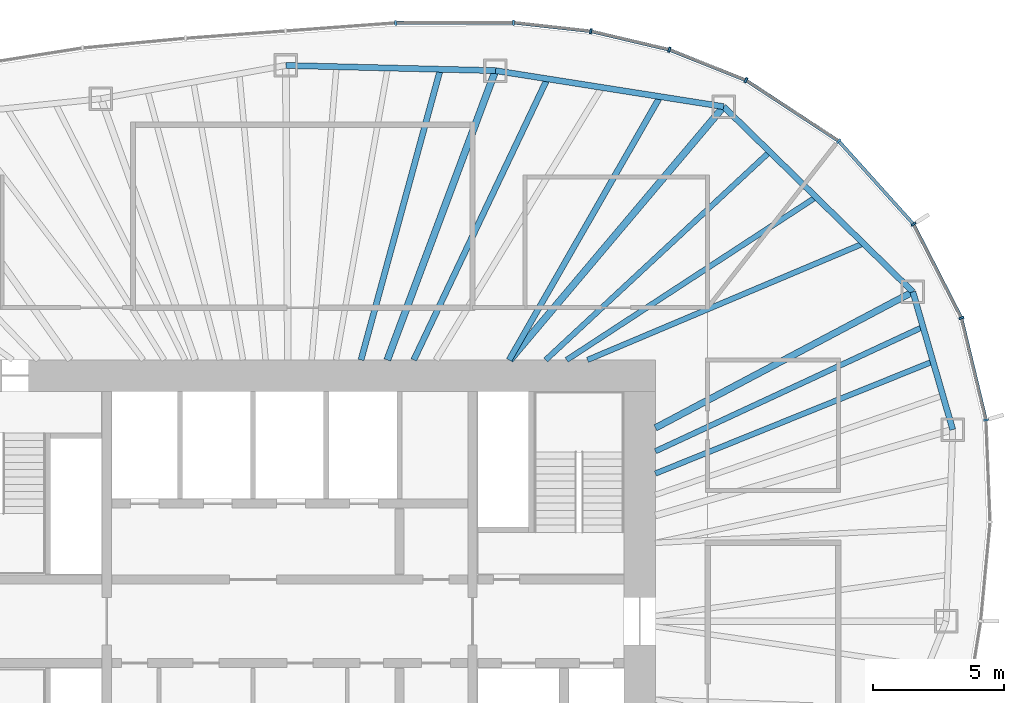
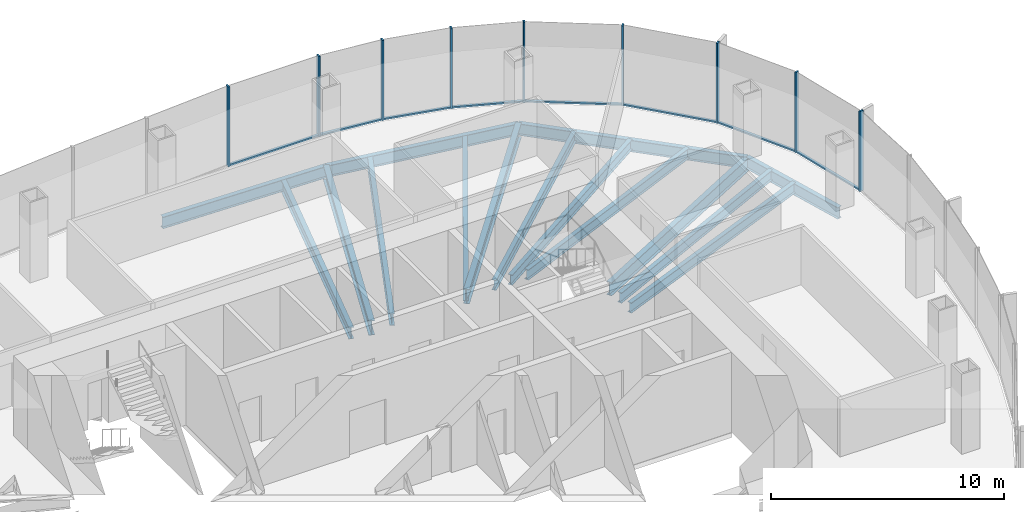
# One storey, part 6 of 11: 17 members, 15 beams, 4 elements without a shape of their own.
"""IFC4 building model written with IfcOpenShell, lengths in metres."""

import ifcopenshell
import ifcopenshell.guid

model = None  # the IFC model being written
_history = None  # IfcOwnerHistory: only IFC2X3 demands one
_inside = {}  # id of a spatial element -> (the spatial element, [elements in it])
_under = {}  # id of a project, library or spatial element -> (it, [spatial elements below it])
_declared = {}  # id of a project -> (the project, [libraries it declares])
_typed = {}  # id of a type object -> (the type object, [elements of that type])
_made_of = {}  # id of a material, layer set ... -> (it, [elements and type objects made of it])


def new_model(schema):
    """Start an empty IFC model of exactly this schema.

    Asked for "IFC4X3", IfcOpenShell would pick the latest addendum, in which some entities
    have other attributes; the version numbers below select the first issue.
    IFC2X3 requires an IfcOwnerHistory on every rooted entity: one is made here for all.
    """
    global model, _history
    if schema == "IFC4X3":
        model = ifcopenshell.file(schema_version=(4, 3, 0, 0))
    else:
        model = ifcopenshell.file(schema=schema)
    _inside.clear()
    _under.clear()
    _declared.clear()
    _typed.clear()
    _made_of.clear()
    _history = None
    if model.schema == "IFC2X3":
        org = make("IfcOrganization", Name="unknown")
        user = make(
            "IfcPersonAndOrganization",
            ThePerson=make("IfcPerson", FamilyName="unknown"),
            TheOrganization=org,
        )
        app = make(
            "IfcApplication",
            ApplicationDeveloper=org,
            Version="unknown",
            ApplicationFullName="unknown",
            ApplicationIdentifier="unknown",
        )
        _history = make(
            "IfcOwnerHistory",
            OwningUser=user,
            OwningApplication=app,
            ChangeAction="ADDED",
            CreationDate=0,
        )
    return model


def make(cls, **values):
    """One entity of the class cls with the attributes given. An attribute that is None is left unset."""
    return model.create_entity(
        cls, **{name: value for name, value in values.items() if value is not None}
    )


def rooted(cls, **values):
    """An entity with a GlobalId (a new one), such as an element, a storey or a relation."""
    return make(cls, GlobalId=ifcopenshell.guid.new(), OwnerHistory=_history, **values)


def si_unit(unit_type, name, prefix=None):
    """IfcSIUnit, for example si_unit("LENGTHUNIT", "METRE", prefix="MILLI")."""
    return make("IfcSIUnit", UnitType=unit_type, Prefix=prefix, Name=name)


def assignment(units):
    """IfcUnitAssignment: the units of a project."""
    return None if units is None else make("IfcUnitAssignment", Units=units)


def point(xyz):
    """IfcCartesianPoint."""
    return None if xyz is None else make("IfcCartesianPoint", Coordinates=xyz)


def direction(xyz):
    """IfcDirection."""
    return None if xyz is None else make("IfcDirection", DirectionRatios=xyz)


def frame(location, z_axis=None, x_axis=None):
    """IfcAxis2Placement3D, a coordinate frame: its origin and axes. An axis left out is left unset."""
    return make(
        "IfcAxis2Placement3D",
        Location=point(location),
        Axis=direction(z_axis),
        RefDirection=direction(x_axis),
    )


def frame_2d(location, x_axis=None):
    """IfcAxis2Placement2D, a coordinate frame in the plane: its origin and x axis."""
    return make(
        "IfcAxis2Placement2D", Location=point(location), RefDirection=direction(x_axis)
    )


def origin():
    """The frame at (0, 0, 0) with its axes left unset."""
    return frame((0.0, 0.0, 0.0))


def origin_2d():
    """The frame at (0, 0) in the plane with its x axis left unset."""
    return frame_2d((0.0, 0.0))


def place(relative_to, where):
    """IfcLocalPlacement: puts the frame where relative to a parent placement (None: the world)."""
    return make(
        "IfcLocalPlacement", PlacementRelTo=relative_to, RelativePlacement=where
    )


def context(
    kind, dimensions, precision=None, world=None, true_north=None, identifier=None
):
    """IfcGeometricRepresentationContext, for example the 3D "Model" context."""
    return make(
        "IfcGeometricRepresentationContext",
        ContextIdentifier=identifier,
        ContextType=kind,
        CoordinateSpaceDimension=dimensions,
        Precision=precision,
        WorldCoordinateSystem=world,
        TrueNorth=true_north,
    )


def subcontext(parent, identifier, kind, view, scale=None):
    """IfcGeometricRepresentationSubContext, for example "Body" below "Model"."""
    return make(
        "IfcGeometricRepresentationSubContext",
        ContextIdentifier=identifier,
        ContextType=kind,
        ParentContext=parent,
        TargetScale=scale,
        TargetView=view,
    )


def project(units=None, contexts=None):
    """IfcProject with its units and contexts."""
    return rooted(
        "IfcProject",
        Name="project",
        RepresentationContexts=contexts,
        UnitsInContext=assignment(units),
    )


def spatial(cls, under=None, at=None, **own):
    """A site, building, storey or space (cls), placed at a placement, below another one or the project."""
    s = rooted(cls, ObjectPlacement=at, **own)
    if under is not None:
        _under.setdefault(under.id(), (under, []))[1].append(s)
    return s


def profile(cls, at=None, kind="AREA", **sizes):
    """A parametric profile (cls). Its sizes go by their IFC names, for example OverallWidth=200.0."""
    return make(cls, ProfileType=kind, Position=at, **sizes)


def rectangle(**sizes):
    """IfcRectangleProfileDef."""
    return profile("IfcRectangleProfileDef", **sizes)


def i_section(**sizes):
    """IfcIShapeProfileDef."""
    return profile("IfcIShapeProfileDef", **sizes)


def extrude(swept, where, along, depth):
    """IfcExtrudedAreaSolid: the profile swept, set in the frame where, extruded along a direction by depth."""
    return make(
        "IfcExtrudedAreaSolid",
        SweptArea=swept,
        Position=where,
        ExtrudedDirection=direction(along),
        Depth=depth,
    )


def shape(context_of_items, identifier, shape_type, items):
    """IfcShapeRepresentation: the items that make up one representation, for example the "Body"."""
    return make(
        "IfcShapeRepresentation",
        ContextOfItems=context_of_items,
        RepresentationIdentifier=identifier,
        RepresentationType=shape_type,
        Items=items,
    )


def material(Name=None, Category=None):
    """IfcMaterial."""
    return make("IfcMaterial", Name=Name, Category=Category)


def material_profile(
    of_material, cross_section, Name=None, Category=None, Priority=None
):
    """IfcMaterialProfile: a cross section and its material."""
    return make(
        "IfcMaterialProfile",
        Name=Name,
        Material=of_material,
        Profile=cross_section,
        Priority=Priority,
        Category=Category,
    )


def profile_set(profiles, Name=None, composite=None):
    """IfcMaterialProfileSet."""
    return make(
        "IfcMaterialProfileSet",
        Name=Name,
        MaterialProfiles=profiles,
        CompositeProfile=composite,
    )


def made_of(thing, what):
    """Note that an element or type object is made of a material, layer set ...; save() writes the relation."""
    if what is not None:
        _made_of.setdefault(what.id(), (what, []))[1].append(thing)
    return thing


def type_object(cls, material=None, **own):
    """A type object (cls), such as IfcWallType, which elements share."""
    return made_of(rooted(cls, **own), material)


def element(
    cls,
    number,
    at=None,
    inside=None,
    cuts=None,
    type_object=None,
    material=None,
    context=None,
    identifier="Body",
    shape_type=None,
    held_by="IfcProductDefinitionShape",
    body=None,
    shapes=None,
    **own,
):
    """One element of the class cls, such as IfcWall. Its Tag is "e" and its number.

    at: its placement. inside: the storey or other place that contains it. cuts: it is an
    opening in that element (IfcRelVoidsElement). A single representation is given by context,
    identifier, shape_type and body (its items); several are given by shapes. held_by: the class
    of the entity that holds the representations. save() writes the other relations.
    """
    e = rooted(cls, Tag="e%d" % number, ObjectPlacement=at, **own)
    if body is not None:
        shapes = [shape(context, identifier, shape_type, body)]
    if shapes is not None:
        e.Representation = make(held_by, Representations=shapes)
    if inside is not None:
        _inside.setdefault(inside.id(), (inside, []))[1].append(e)
    if cuts is not None:
        rooted(
            "IfcRelVoidsElement", RelatingBuildingElement=cuts, RelatedOpeningElement=e
        )
    if type_object is not None:
        _typed.setdefault(type_object.id(), (type_object, []))[1].append(e)
    return made_of(e, material)


def aggregate(whole, parts):
    """IfcRelAggregates: a whole, such as a stair, and the parts it consists of."""
    return rooted("IfcRelAggregates", RelatingObject=whole, RelatedObjects=parts)


def save(model, path):
    """Write the relations noted so far, then the file.

    IfcRelAggregates (storeys below a building ...), IfcRelContainedInSpatialStructure (elements
    in a storey), IfcRelDefinesByType, IfcRelAssociatesMaterial and IfcRelDeclares: one each for
    every whole, place, type object, material and project.
    """
    for whole, parts in _under.values():
        aggregate(whole, parts)
    for where, things in _inside.values():
        rooted(
            "IfcRelContainedInSpatialStructure",
            RelatedElements=things,
            RelatingStructure=where,
        )
    for kind, things in _typed.values():
        rooted("IfcRelDefinesByType", RelatedObjects=things, RelatingType=kind)
    for what, things in _made_of.values():
        rooted("IfcRelAssociatesMaterial", RelatedObjects=things, RelatingMaterial=what)
    for by, libraries in _declared.values():
        rooted("IfcRelDeclares", RelatingContext=by, RelatedDefinitions=libraries)
    model.write(path)


model = new_model("IFC4")

# Units and contexts
model_context = context("Model", 3, precision=1e-05, world=origin(), true_north=direction((0.0, 1.0)))
body_context = subcontext(model_context, "Body", "Model", "MODEL_VIEW")
ifc_project = project(units=[si_unit("LENGTHUNIT", "METRE"), si_unit("AREAUNIT", "SQUARE_METRE"), si_unit("VOLUMEUNIT", "CUBIC_METRE"), si_unit("PLANEANGLEUNIT", "RADIAN"), si_unit("MASSUNIT", "GRAM", prefix="KILO")], contexts=[model_context])

# Site, building, storey
site_placement = place(None, origin())
site = spatial("IfcSite", under=ifc_project, at=site_placement, CompositionType="ELEMENT")
building_placement = place(site_placement, origin())
building = spatial("IfcBuilding", under=site, at=building_placement, Name="Ghaith Harvest Tower", CompositionType="ELEMENT")
storey_placement = place(building_placement, frame((0.0, 0.0, 262.0)))
storey = spatial("IfcBuildingStorey", under=building, at=storey_placement, Name="L58", CompositionType="ELEMENT", Elevation=262.0)

# Curtain wall, members
ifc_material_1 = material(Name="Black anodised aluminium and fritted glass", Category="aluminium")
curtain_wall_type = type_object("IfcCurtainWallType", Name="CW-H CURTAIN WALL", PredefinedType="NOTDEFINED", material=ifc_material_1)
curtain_wall_1_placement = place(storey_placement, origin())
curtain_wall_1 = element("IfcCurtainWall", 1, at=curtain_wall_1_placement, inside=storey, type_object=curtain_wall_type, Name="Curtain wall CW-H bay 02 L58", PredefinedType="NOTDEFINED")
ifc_material_2 = material(Name="Aluminium, black anodised", Category="aluminium")
ifc_material_profile_1 = material_profile(ifc_material_2, rectangle(XDim=0.080078125, YDim=0.199951171875, at=origin_2d()), Name="CW-H MULLION 80x200")
ifc_profile_set_1 = profile_set([ifc_material_profile_1], Name="Aluminium, black anodised")
member_type_1 = type_object("IfcMemberType", Name="CW-H MULLION 80x200", PredefinedType="MULLION", material=ifc_profile_set_1)
member_1_placement = place(storey_placement, frame((26.646484375, 7.701416015625, 0.0), z_axis=(0.0, 0.0, 1.0), x_axis=(-0.139146256981, 0.990271841046, 0.0)))
member_1 = element("IfcMember", 2, at=member_1_placement, type_object=member_type_1, Name="CW-H mullion 1 bay 02 L58", PredefinedType="MULLION", context=body_context, shape_type="SweptSolid", body=[
    extrude(rectangle(XDim=0.080078125, YDim=0.199951171875, at=origin_2d()), origin(), (0.0, 0.0, 1.0), 4.199951171875),
])
member_2_placement = place(storey_placement, frame((25.707275390625, 11.60546875, 0.0), z_axis=(0.0, 0.0, 1.0), x_axis=(-0.347012123561, 0.93786064322, 0.0)))
member_2 = element("IfcMember", 3, at=member_2_placement, type_object=member_type_1, Name="CW-H mullion 2 bay 02 L58", PredefinedType="MULLION", context=body_context, shape_type="SweptSolid", body=[
    extrude(rectangle(XDim=0.080078125, YDim=0.199951171875, at=origin_2d()), origin(), (0.0, 0.0, 1.0), 4.199951171875),
])

curtain_wall_2_placement = place(storey_placement, origin())
curtain_wall_2 = element("IfcCurtainWall", 4, at=curtain_wall_2_placement, inside=storey, type_object=curtain_wall_type, Name="Curtain wall CW-H bay 03 L58", PredefinedType="NOTDEFINED")
member_3_placement = place(storey_placement, frame((23.874267578125, 15.19384765625, 0.0), z_axis=(0.0, 0.0, 1.0), x_axis=(-0.569847382909, 0.821750546207, 0.0)))
member_3 = element("IfcMember", 5, at=member_3_placement, type_object=member_type_1, Name="CW-H mullion 1 bay 03 L58", PredefinedType="MULLION", context=body_context, shape_type="SweptSolid", body=[
    extrude(rectangle(XDim=0.080078125, YDim=0.199951171875, at=origin_2d()), origin(), (0.0, 0.0, 1.0), 4.199951171875),
])
member_4_placement = place(storey_placement, frame((21.013427734375, 18.374267578125, 0.0), z_axis=(0.0, 0.0, 1.0), x_axis=(-0.758541332755, 0.651624927778, 0.0)))
member_4 = element("IfcMember", 6, at=member_4_placement, type_object=member_type_1, Name="CW-H mullion 2 bay 03 L58", PredefinedType="MULLION", context=body_context, shape_type="SweptSolid", body=[
    extrude(rectangle(XDim=0.080078125, YDim=0.199951171875, at=origin_2d()), origin(), (0.0, 0.0, 1.0), 4.199951171875),
])

curtain_wall_3_placement = place(storey_placement, origin())
curtain_wall_3 = element("IfcCurtainWall", 7, at=curtain_wall_3_placement, inside=storey, type_object=curtain_wall_type, Name="Curtain wall CW-H bay 04 L58", PredefinedType="NOTDEFINED")
member_5_placement = place(storey_placement, frame((17.45947265625, 20.704345703125, 0.0), z_axis=(0.0, 0.0, 1.0), x_axis=(-0.880203412003, 0.474596621878, 0.0)))
member_5 = element("IfcMember", 8, at=member_5_placement, type_object=member_type_1, Name="CW-H mullion 1 bay 04 L58", PredefinedType="MULLION", context=body_context, shape_type="SweptSolid", body=[
    extrude(rectangle(XDim=0.080078125, YDim=0.199951171875, at=origin_2d()), origin(), (0.0, 0.0, 1.0), 4.199951171875),
])
member_6_placement = place(storey_placement, frame((14.52734375, 21.871337890625, 0.0), z_axis=(0.0, 0.0, 1.0), x_axis=(-0.953502908871, 0.30138381306, 0.0)))
member_6 = element("IfcMember", 9, at=member_6_placement, type_object=member_type_1, Name="CW-H mullion 2 bay 04 L58", PredefinedType="MULLION", context=body_context, shape_type="SweptSolid", body=[
    extrude(rectangle(XDim=0.080078125, YDim=0.199951171875, at=origin_2d()), origin(), (0.0, 0.0, 1.0), 4.199951171875),
])
member_7_placement = place(storey_placement, frame((11.527099609375, 22.579345703125, 0.0), z_axis=(0.0, 0.0, 1.0), x_axis=(-0.985193373388, 0.171446834417, 0.0)))
member_7 = element("IfcMember", 10, at=member_7_placement, type_object=member_type_1, Name="CW-H mullion 3 bay 04 L58", PredefinedType="MULLION", context=body_context, shape_type="SweptSolid", body=[
    extrude(rectangle(XDim=0.080078125, YDim=0.199951171875, at=origin_2d()), origin(), (0.0, 0.0, 1.0), 4.199951171875),
])

curtain_wall_4_placement = place(storey_placement, origin())
curtain_wall_4 = element("IfcCurtainWall", 11, at=curtain_wall_4_placement, inside=storey, type_object=curtain_wall_type, Name="Curtain wall CW-H bay 05 L58", PredefinedType="NOTDEFINED")
member_8_placement = place(storey_placement, frame((8.564208984375, 22.9091796875, 0.0), z_axis=(0.0, 0.0, 1.0), x_axis=(-0.999083519493, 0.042803283493, 0.0)))
member_8 = element("IfcMember", 12, at=member_8_placement, type_object=member_type_1, Name="CW-H mullion 1 bay 05 L58", PredefinedType="MULLION", context=body_context, shape_type="SweptSolid", body=[
    extrude(rectangle(XDim=0.080078125, YDim=0.199951171875, at=origin_2d()), origin(), (0.0, 0.0, 1.0), 4.199951171875),
])
member_9_placement = place(storey_placement, frame((4.0595703125, 22.8994140625, 0.0), z_axis=(0.0, 0.0, 1.0), x_axis=(-0.999332779724, -0.036523901335, 0.0)))
member_9 = element("IfcMember", 13, at=member_9_placement, type_object=member_type_1, Name="CW-H mullion 2 bay 05 L58", PredefinedType="MULLION", context=body_context, shape_type="SweptSolid", body=[
    extrude(rectangle(XDim=0.080078125, YDim=0.199951171875, at=origin_2d()), origin(), (0.0, 0.0, 1.0), 4.199951171875),
])

# Member
ifc_material_3 = material(Name="Aluminium, black anodised", Category="aluminium")
ifc_material_profile_2 = material_profile(ifc_material_3, rectangle(XDim=0.1298828125, YDim=0.080078125, at=origin_2d()), Name="CW-H TRANSOM 130x80")
ifc_profile_set_2 = profile_set([ifc_material_profile_2], Name="Aluminium, black anodised")
member_type_2 = type_object("IfcMemberType", Name="CW-H TRANSOM 130x80", PredefinedType="USERDEFINED", material=ifc_profile_set_2)
member_10_placement = place(storey_placement, frame((26.636962890625, 7.740234375, 0.0400390625), z_axis=(-0.233870324689, 0.972267798104, 0.0), x_axis=(-0.972267798104, -0.233870324689, 0.0)))
member_10 = element("IfcMember", 14, at=member_10_placement, type_object=member_type_2, Name="CW-H transom 1 bay 02 L58", ObjectType="TRANSOM", PredefinedType="USERDEFINED", context=body_context, shape_type="SweptSolid", body=[
    extrude(rectangle(XDim=0.1298828125, YDim=0.080078125, at=origin_2d()), origin(), (0.0, 0.0, 1.0), 3.935546875),
])

member_11_placement = place(storey_placement, frame((25.68896484375, 11.64111328125, 0.0400390625), z_axis=(-0.454911728312, 0.890536534592, 0.0), x_axis=(-0.890536534592, -0.454911728312, 0.0)))
member_11 = element("IfcMember", 15, at=member_11_placement, type_object=member_type_2, Name="CW-H transom 2 bay 02 L58", ObjectType="TRANSOM", PredefinedType="USERDEFINED", context=body_context, shape_type="SweptSolid", body=[
    extrude(rectangle(XDim=0.1298828125, YDim=0.080078125, at=origin_2d()), origin(), (0.0, 0.0, 1.0), 3.949462890625),
])

aggregate(curtain_wall_1, [member_1, member_10, member_2, member_11])

member_12_placement = place(storey_placement, frame((23.847412109375, 15.223388671875, 0.0400390625), z_axis=(-0.668752638518, 0.743484975286, 0.0), x_axis=(-0.743484975286, -0.668752638518, 0.0)))
member_12 = element("IfcMember", 16, at=member_12_placement, type_object=member_type_2, Name="CW-H transom 1 bay 03 L58", ObjectType="TRANSOM", PredefinedType="USERDEFINED", context=body_context, shape_type="SweptSolid", body=[
    extrude(rectangle(XDim=0.1298828125, YDim=0.080078125, at=origin_2d()), origin(), (0.0, 0.0, 1.0), 4.197998046875),
])

member_13_placement = place(storey_placement, frame((20.97998046875, 18.39599609375, 0.0400390625), z_axis=(-0.836268574396, 0.548320044753, 0.0), x_axis=(-0.548320044753, -0.836268574396, 0.0)))
member_13 = element("IfcMember", 17, at=member_13_placement, type_object=member_type_2, Name="CW-H transom 2 bay 03 L58", ObjectType="TRANSOM", PredefinedType="USERDEFINED", context=body_context, shape_type="SweptSolid", body=[
    extrude(rectangle(XDim=0.1298828125, YDim=0.080078125, at=origin_2d()), origin(), (0.0, 0.0, 1.0), 4.169677734375),
])

aggregate(curtain_wall_2, [member_3, member_12, member_4, member_13])

member_14_placement = place(storey_placement, frame((17.42236328125, 20.71923828125, 0.0400390625), z_axis=(-0.929115751434, 0.369789021521, 0.0), x_axis=(-0.369789021521, -0.929115751434, 0.0)))
member_14 = element("IfcMember", 18, at=member_14_placement, type_object=member_type_2, Name="CW-H transom 1 bay 04 L58", ObjectType="TRANSOM", PredefinedType="USERDEFINED", context=body_context, shape_type="SweptSolid", body=[
    extrude(rectangle(XDim=0.1298828125, YDim=0.080078125, at=origin_2d()), origin(), (0.0, 0.0, 1.0), 3.075927734375),
])

member_15_placement = place(storey_placement, frame((14.48828125, 21.880615234375, 0.0400390625), z_axis=(-0.97325803677, 0.229714592186, 0.0), x_axis=(-0.229714592186, -0.97325803677, 0.0)))
member_15 = element("IfcMember", 19, at=member_15_placement, type_object=member_type_2, Name="CW-H transom 2 bay 04 L58", ObjectType="TRANSOM", PredefinedType="USERDEFINED", context=body_context, shape_type="SweptSolid", body=[
    extrude(rectangle(XDim=0.1298828125, YDim=0.080078125, at=origin_2d()), origin(), (0.0, 0.0, 1.0), 3.00244140625),
])

member_16_placement = place(storey_placement, frame((11.4873046875, 22.583984375, 0.0400390625), z_axis=(-0.993867303252, 0.110579308762, 0.0), x_axis=(-0.110579308762, -0.993867303252, 0.0)))
member_16 = element("IfcMember", 20, at=member_16_placement, type_object=member_type_2, Name="CW-H transom 3 bay 04 L58", ObjectType="TRANSOM", PredefinedType="USERDEFINED", context=body_context, shape_type="SweptSolid", body=[
    extrude(rectangle(XDim=0.1298828125, YDim=0.080078125, at=origin_2d()), origin(), (0.0, 0.0, 1.0), 2.901123046875),
])

aggregate(curtain_wall_3, [member_5, member_14, member_6, member_15, member_7, member_16])

member_17_placement = place(storey_placement, frame((8.524169921875, 22.9091796875, 0.0400390625), z_axis=(-0.999997564275, -0.002207134722, 0.0), x_axis=(0.002207134722, -0.999997564275, 0.0)))
member_17 = element("IfcMember", 21, at=member_17_placement, type_object=member_type_2, Name="CW-H transom 1 bay 05 L58", ObjectType="TRANSOM", PredefinedType="USERDEFINED", context=body_context, shape_type="SweptSolid", body=[
    extrude(rectangle(XDim=0.1298828125, YDim=0.080078125, at=origin_2d()), origin(), (0.0, 0.0, 1.0), 4.424560546875),
])

aggregate(curtain_wall_4, [member_8, member_17, member_9])

# Beams
ifc_material_4 = material(Name="Steel ASTM A992 Grade 50", Category="steel")
ifc_material_profile_3 = material_profile(ifc_material_4, i_section(OverallWidth=0.22900390625, OverallDepth=0.612060546875, WebThickness=0.011962890625, FlangeThickness=0.01953125, at=origin_2d()), Name="W610X125")
ifc_profile_set_3 = profile_set([ifc_material_profile_3], Name="Steel ASTM A992 Grade 50")
beam_type_1 = type_object("IfcBeamType", Name="E610-125 W610X125", PredefinedType="SPANDREL", material=ifc_profile_set_3)
beam_1_placement = place(storey_placement, frame((25.3779296875, 7.3349609375, -0.47607421875), z_axis=(-0.278021352648, 0.960574894254, 0.0), x_axis=(-0.960574894254, -0.278021352648, 0.0)))
element("IfcBeam", 22, at=beam_1_placement, inside=storey, type_object=beam_type_1, Name="Edge beam E02 L58", PredefinedType="SPANDREL", context=body_context, shape_type="SweptSolid", body=[
    extrude(i_section(OverallWidth=0.22900390625, OverallDepth=0.612060546875, WebThickness=0.011962890625, FlangeThickness=0.01953125, at=origin_2d()), origin(), (0.0, 0.0, 1.0), 5.48828125),
])
beam_2_placement = place(storey_placement, frame((23.85205078125, 12.60693359375, -0.47607421875), z_axis=(-0.714761249388, 0.699368541166, 0.0), x_axis=(-0.699368541166, -0.714761249388, 0.0)))
element("IfcBeam", 23, at=beam_2_placement, inside=storey, type_object=beam_type_1, Name="Edge beam E03 L58", PredefinedType="SPANDREL", context=body_context, shape_type="SweptSolid", body=[
    extrude(i_section(OverallWidth=0.22900390625, OverallDepth=0.612060546875, WebThickness=0.011962890625, FlangeThickness=0.01953125, at=origin_2d()), origin(), (0.0, 0.0, 1.0), 10.135009765625),
])
beam_3_placement = place(storey_placement, frame((16.60791015625, 19.695068359375, -0.47607421875), z_axis=(-0.987788485872, 0.155800857439, 0.0), x_axis=(-0.155800857439, -0.987788485872, 0.0)))
element("IfcBeam", 24, at=beam_3_placement, inside=storey, type_object=beam_type_1, Name="Edge beam E04 L58", PredefinedType="SPANDREL", context=body_context, shape_type="SweptSolid", body=[
    extrude(i_section(OverallWidth=0.22900390625, OverallDepth=0.612060546875, WebThickness=0.011962890625, FlangeThickness=0.01953125, at=origin_2d()), origin(), (0.0, 0.0, 1.0), 8.837890625),
])
beam_4_placement = place(storey_placement, frame((7.8779296875, 21.072021484375, -0.47607421875), z_axis=(-0.999692679676, 0.024790042413, 0.0), x_axis=(-0.024790042413, -0.999692679676, 0.0)))
element("IfcBeam", 25, at=beam_4_placement, inside=storey, type_object=beam_type_1, Name="Edge beam E05 L58", PredefinedType="SPANDREL", context=body_context, shape_type="SweptSolid", body=[
    extrude(i_section(OverallWidth=0.22900390625, OverallDepth=0.612060546875, WebThickness=0.011962890625, FlangeThickness=0.01953125, at=origin_2d()), origin(), (0.0, 0.0, 1.0), 8.0263671875),
])
ifc_material_5 = material(Name="Steel ASTM A992 Grade 50", Category="steel")
ifc_material_profile_4 = material_profile(ifc_material_5, i_section(OverallWidth=0.256103515625, OverallDepth=0.693115234375, WebThickness=0.014404296875, FlangeThickness=0.023681640625, at=origin_2d()), Name="W690X170")
ifc_profile_set_4 = profile_set([ifc_material_profile_4], Name="Steel ASTM A992 Grade 50")
beam_type_2 = type_object("IfcBeamType", Name="G690-170 W690X170", PredefinedType="BEAM", material=ifc_profile_set_4)
beam_5_placement = place(storey_placement, frame((14.0, 7.39990234375, -0.5166015625), z_axis=(0.884112784119, 0.467273565438, 0.0), x_axis=(-0.467273565438, 0.884112784119, 0.0)))
element("IfcBeam", 26, at=beam_5_placement, inside=storey, type_object=beam_type_2, Name="Radial girder G03 L58", PredefinedType="BEAM", context=body_context, shape_type="SweptSolid", body=[
    extrude(i_section(OverallWidth=0.256103515625, OverallDepth=0.693115234375, WebThickness=0.014404296875, FlangeThickness=0.023681640625, at=origin_2d()), origin(), (0.0, 0.0, 1.0), 11.143310546875),
])
ifc_material_6 = material(Name="Steel ASTM A992 Grade 50", Category="steel")
ifc_material_profile_5 = material_profile(ifc_material_6, i_section(OverallWidth=0.26806640625, OverallDepth=0.77001953125, WebThickness=0.015625, FlangeThickness=0.025390625, at=origin_2d()), Name="W760X196")
ifc_profile_set_5 = profile_set([ifc_material_profile_5], Name="Steel ASTM A992 Grade 50")
beam_type_3 = type_object("IfcBeamType", Name="G760-196 W760X196", PredefinedType="BEAM", material=ifc_profile_set_5)
beam_6_placement = place(storey_placement, frame((8.4326171875, 10.0, -0.554931640625), z_axis=(0.644644245772, 0.764482698557, 0.0), x_axis=(-0.764482698557, 0.644644245772, 0.0)))
element("IfcBeam", 27, at=beam_6_placement, inside=storey, type_object=beam_type_3, Name="Radial girder G04 L58", PredefinedType="BEAM", context=body_context, shape_type="SweptSolid", body=[
    extrude(i_section(OverallWidth=0.26806640625, OverallDepth=0.77001953125, WebThickness=0.015625, FlangeThickness=0.025390625, at=origin_2d()), origin(), (0.0, 0.0, 1.0), 12.681884765625),
])
beam_7_placement = place(storey_placement, frame((3.73828125, 10.0, -0.554931640625), z_axis=(0.350206582147, 0.936672488024, 0.0), x_axis=(-0.936672488024, 0.350206582147, 0.0)))
element("IfcBeam", 28, at=beam_7_placement, inside=storey, type_object=beam_type_3, Name="Radial girder G05 L58", PredefinedType="BEAM", context=body_context, shape_type="SweptSolid", body=[
    extrude(i_section(OverallWidth=0.26806640625, OverallDepth=0.77001953125, WebThickness=0.015625, FlangeThickness=0.025390625, at=origin_2d()), origin(), (0.0, 0.0, 1.0), 11.820556640625),
])
ifc_material_7 = material(Name="Steel ASTM A992 Grade 50", Category="steel")
ifc_material_profile_6 = material_profile(ifc_material_7, i_section(OverallWidth=0.2109375, OverallDepth=0.5390625, WebThickness=0.01171875, FlangeThickness=0.018798828125, at=origin_2d()), Name="W530X109")
ifc_profile_set_6 = profile_set([ifc_material_profile_6], Name="Steel ASTM A992 Grade 50")
beam_type_4 = type_object("IfcBeamType", Name="J530-109 W530X109", PredefinedType="JOIST", material=ifc_profile_set_6)
beam_8_placement = place(storey_placement, frame((14.0, 5.653564453125, -0.439453125), z_axis=(0.927250374508, 0.37444190868, 0.0), x_axis=(-0.37444190868, 0.927250374508, 0.0)))
element("IfcBeam", 29, at=beam_8_placement, inside=storey, type_object=beam_type_4, Name="Joist J02.2 L58", PredefinedType="JOIST", context=body_context, shape_type="SweptSolid", body=[
    extrude(i_section(OverallWidth=0.2109375, OverallDepth=0.5390625, WebThickness=0.01171875, FlangeThickness=0.018798828125, at=origin_2d()), origin(), (0.0, 0.0, 1.0), 11.45654296875),
])
beam_9_placement = place(storey_placement, frame((14.0, 6.506103515625, -0.439453125), z_axis=(0.906864105655, 0.421423176718, 0.0), x_axis=(-0.421423176718, 0.906864105655, 0.0)))
element("IfcBeam", 30, at=beam_9_placement, inside=storey, type_object=beam_type_4, Name="Joist J02.3 L58", PredefinedType="JOIST", context=body_context, shape_type="SweptSolid", body=[
    extrude(i_section(OverallWidth=0.2109375, OverallDepth=0.5390625, WebThickness=0.01171875, FlangeThickness=0.018798828125, at=origin_2d()), origin(), (0.0, 0.0, 1.0), 11.292236328125),
])
beam_10_placement = place(storey_placement, frame((11.39990234375, 10.0, -0.439453125), z_axis=(0.92127415213, 0.388913790727, 0.0), x_axis=(-0.388913790727, 0.92127415213, 0.0)))
element("IfcBeam", 31, at=beam_10_placement, inside=storey, type_object=beam_type_4, Name="Joist J03.1 L58", PredefinedType="JOIST", context=body_context, shape_type="SweptSolid", body=[
    extrude(i_section(OverallWidth=0.2109375, OverallDepth=0.5390625, WebThickness=0.01171875, FlangeThickness=0.018798828125, at=origin_2d()), origin(), (0.0, 0.0, 1.0), 11.462646484375),
])
beam_11_placement = place(storey_placement, frame((10.60009765625, 10.0, -0.439453125), z_axis=(0.837329320942, 0.546698827775, 0.0), x_axis=(-0.546698827775, 0.837329320942, 0.0)))
element("IfcBeam", 32, at=beam_11_placement, inside=storey, type_object=beam_type_4, Name="Joist J03.2 L58", PredefinedType="JOIST", context=body_context, shape_type="SweptSolid", body=[
    extrude(i_section(OverallWidth=0.2109375, OverallDepth=0.5390625, WebThickness=0.01171875, FlangeThickness=0.018798828125, at=origin_2d()), origin(), (0.0, 0.0, 1.0), 11.40087890625),
])
beam_12_placement = place(storey_placement, frame((9.800048828125, 10.0, -0.439453125), z_axis=(0.732519288302, 0.680746275984, 0.0), x_axis=(-0.680746275984, 0.732519288302, 0.0)))
element("IfcBeam", 33, at=beam_12_placement, inside=storey, type_object=beam_type_4, Name="Joist J03.3 L58", PredefinedType="JOIST", context=body_context, shape_type="SweptSolid", body=[
    extrude(i_section(OverallWidth=0.2109375, OverallDepth=0.5390625, WebThickness=0.01171875, FlangeThickness=0.018798828125, at=origin_2d()), origin(), (0.0, 0.0, 1.0), 11.7041015625),
])
ifc_material_8 = material(Name="Steel ASTM A992 Grade 50", Category="steel")
ifc_material_profile_7 = material_profile(ifc_material_8, i_section(OverallWidth=0.22900390625, OverallDepth=0.612060546875, WebThickness=0.011962890625, FlangeThickness=0.01953125, at=origin_2d()), Name="W610X125")
ifc_profile_set_7 = profile_set([ifc_material_profile_7], Name="Steel ASTM A992 Grade 50")
beam_type_5 = type_object("IfcBeamType", Name="J610-125 W610X125", PredefinedType="JOIST", material=ifc_profile_set_7)
beam_13_placement = place(storey_placement, frame((8.39990234375, 10.0, -0.47607421875), z_axis=(0.497444212127, 0.867495968764, 0.0), x_axis=(-0.867495968764, 0.497444212127, 0.0)))
element("IfcBeam", 34, at=beam_13_placement, inside=storey, type_object=beam_type_5, Name="Joist J04.1 L58", PredefinedType="JOIST", context=body_context, shape_type="SweptSolid", body=[
    extrude(i_section(OverallWidth=0.22900390625, OverallDepth=0.612060546875, WebThickness=0.011962890625, FlangeThickness=0.01953125, at=origin_2d()), origin(), (0.0, 0.0, 1.0), 11.617431640625),
])
beam_14_placement = place(storey_placement, frame((4.75, 10.0, -0.47607421875), z_axis=(0.429069356877, 0.903271546651, 0.0), x_axis=(-0.903271546651, 0.429069356877, 0.0)))
element("IfcBeam", 35, at=beam_14_placement, inside=storey, type_object=beam_type_5, Name="Joist J04.3 L58", PredefinedType="JOIST", context=body_context, shape_type="SweptSolid", body=[
    extrude(i_section(OverallWidth=0.22900390625, OverallDepth=0.612060546875, WebThickness=0.011962890625, FlangeThickness=0.01953125, at=origin_2d()), origin(), (0.0, 0.0, 1.0), 11.911376953125),
])
beam_15_placement = place(storey_placement, frame((2.73095703125, 10.0, -0.47607421875), z_axis=(0.263455967932, 0.964671422279, 0.0), x_axis=(-0.964671422279, 0.263455967932, 0.0)))
element("IfcBeam", 36, at=beam_15_placement, inside=storey, type_object=beam_type_5, Name="Joist J05.1 L58", PredefinedType="JOIST", context=body_context, shape_type="SweptSolid", body=[
    extrude(i_section(OverallWidth=0.22900390625, OverallDepth=0.612060546875, WebThickness=0.011962890625, FlangeThickness=0.01953125, at=origin_2d()), origin(), (0.0, 0.0, 1.0), 11.53173828125),
])

save(model, "model.ifc")
